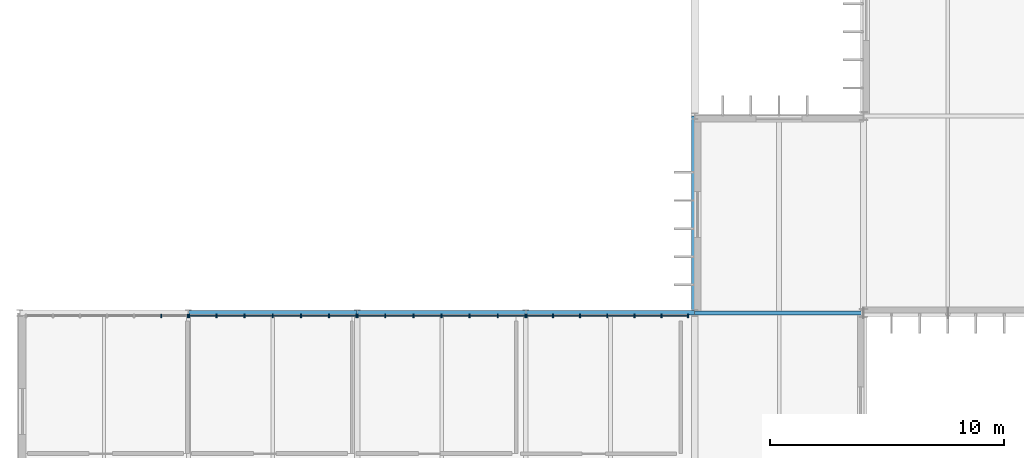
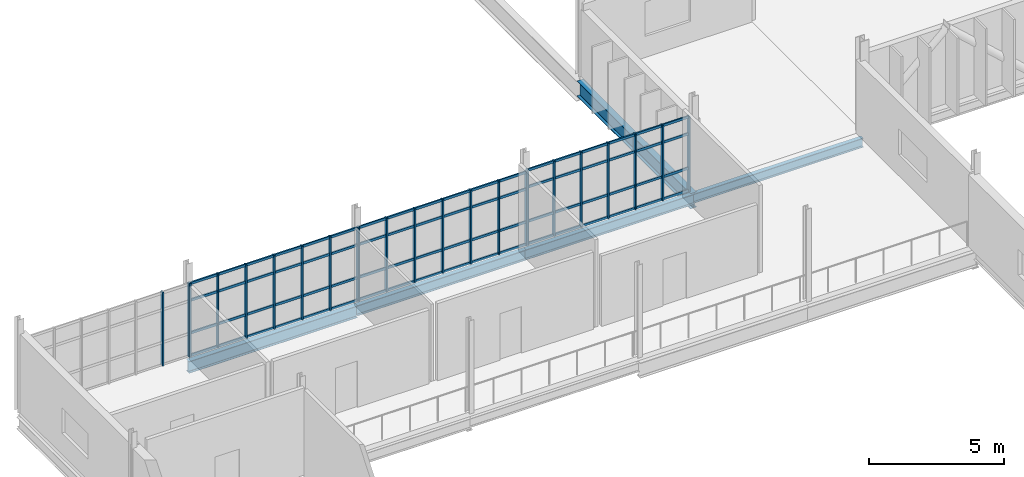
# One storey, part 36 of 119: 35 members, 5 beams, 4 elements without a shape of their own.
"""IFC4 building model written with IfcOpenShell, lengths in metres."""

from ifc_helpers import new_model, si_unit, direction, frame, origin, origin_2d, place, context, subcontext, project, spatial, rectangle, i_section, extrude, material, material_profile, profile_set, type_object, element, aggregate, save


model = new_model("IFC4")

# Units and contexts
model_context = context("Model", 3, precision=1e-05, world=origin(), true_north=direction((0.0, 1.0)))
body_context = subcontext(model_context, "Body", "Model", "MODEL_VIEW")
ifc_project = project(units=[si_unit("LENGTHUNIT", "METRE"), si_unit("AREAUNIT", "SQUARE_METRE"), si_unit("VOLUMEUNIT", "CUBIC_METRE"), si_unit("PLANEANGLEUNIT", "RADIAN"), si_unit("MASSUNIT", "GRAM", prefix="KILO")], contexts=[model_context])

# Site, building, storey
site_placement = place(None, origin())
site = spatial("IfcSite", under=ifc_project, at=site_placement, CompositionType="ELEMENT")
building_placement = place(site_placement, origin())
building = spatial("IfcBuilding", under=site, at=building_placement, Name="Qelthora Terrace Specialist Clinic", CompositionType="ELEMENT")
storey_placement = place(building_placement, frame((0.0, 0.0, 4.800048828125)))
storey = spatial("IfcBuildingStorey", under=building, at=storey_placement, Name="L01", CompositionType="ELEMENT", Elevation=4.800048828125)

# Beams
ifc_material_1 = material(Name="Steel S355", Category="steel")
ifc_material_profile_1 = material_profile(ifc_material_1, i_section(OverallWidth=0.179931640625, OverallDepth=0.4130859375, WebThickness=0.009765625, FlangeThickness=0.01611328125, FilletRadius=0.011962890625, at=origin_2d()), Name="W410X75")
ifc_profile_set_1 = profile_set([ifc_material_profile_1], Name="Steel S355")
beam_type_1 = type_object("IfcBeamType", Name="BM-W410X75", PredefinedType="BEAM", material=ifc_profile_set_1)
beam_1_placement = place(storey_placement, frame((86.39990234375, 33.60009765625, -0.45654296875), z_axis=(1.0, 0.0, 0.0), x_axis=(0.0, 1.0, 0.0)))
element("IfcBeam", 1, at=beam_1_placement, inside=storey, type_object=beam_type_1, Name="Girder BMX-L01-0205", PredefinedType="BEAM", context=body_context, shape_type="SweptSolid", body=[
    extrude(i_section(OverallWidth=0.179931640625, OverallDepth=0.4130859375, WebThickness=0.009765625, FlangeThickness=0.01611328125, FilletRadius=0.011962890625, at=origin_2d()), origin(), (0.0, 0.0, 1.0), 7.2001953125),
])
ifc_material_profile_2 = material_profile(ifc_material_1, i_section(OverallWidth=0.19091796875, OverallDepth=0.4599609375, WebThickness=0.010009765625, FlangeThickness=0.01611328125, FilletRadius=0.012939453125, at=origin_2d()), Name="W460X82")
ifc_profile_set_2 = profile_set([ifc_material_profile_2], Name="Steel S355")
beam_type_2 = type_object("IfcBeamType", Name="BM-W460X82", PredefinedType="BEAM", material=ifc_profile_set_2)
beam_2_placement = place(storey_placement, frame((79.199951171875, 33.60009765625, -0.47998046875), z_axis=(1.0, 0.0, 0.0), x_axis=(0.0, 1.0, 0.0)))
element("IfcBeam", 2, at=beam_2_placement, inside=storey, type_object=beam_type_2, Name="Girder BMX-L01-0204", PredefinedType="BEAM", context=body_context, shape_type="SweptSolid", body=[
    extrude(i_section(OverallWidth=0.19091796875, OverallDepth=0.4599609375, WebThickness=0.010009765625, FlangeThickness=0.01611328125, FilletRadius=0.012939453125, at=origin_2d()), origin(), (0.0, 0.0, 1.0), 7.199951171875),
])
ifc_material_profile_3 = material_profile(ifc_material_1, i_section(OverallWidth=0.193115234375, OverallDepth=0.466064453125, WebThickness=0.011474609375, FlangeThickness=0.01904296875, FilletRadius=0.012939453125, at=origin_2d()), Name="W460X97")
ifc_profile_set_3 = profile_set([ifc_material_profile_3], Name="Steel S355")
beam_type_3 = type_object("IfcBeamType", Name="BM-W460X97", PredefinedType="BEAM", material=ifc_profile_set_3)
beam_3_placement = place(storey_placement, frame((72.0, 33.60009765625, -0.483154296875), z_axis=(1.0, 0.0, 0.0), x_axis=(0.0, 1.0, 0.0)))
element("IfcBeam", 3, at=beam_3_placement, inside=storey, type_object=beam_type_3, Name="Girder BMX-L01-0203", PredefinedType="BEAM", context=body_context, shape_type="SweptSolid", body=[
    extrude(i_section(OverallWidth=0.193115234375, OverallDepth=0.466064453125, WebThickness=0.011474609375, FlangeThickness=0.01904296875, FilletRadius=0.012939453125, at=origin_2d()), origin(), (0.0, 0.0, 1.0), 7.199951171875),
])
ifc_material_profile_4 = material_profile(ifc_material_1, i_section(OverallWidth=0.2099609375, OverallDepth=0.537109375, WebThickness=0.010986328125, FlangeThickness=0.017333984375, FilletRadius=0.013916015625, at=origin_2d()), Name="W530X101")
ifc_profile_set_4 = profile_set([ifc_material_profile_4], Name="Steel S355")
beam_type_4 = type_object("IfcBeamType", Name="BM-W530X101", PredefinedType="BEAM", material=ifc_profile_set_4)
beam_4_placement = place(storey_placement, frame((64.800048828125, 33.60009765625, -0.5185546875), z_axis=(1.0, 0.0, 0.0), x_axis=(0.0, 1.0, 0.0)))
element("IfcBeam", 4, at=beam_4_placement, inside=storey, type_object=beam_type_4, Name="Girder BMX-L01-0202", PredefinedType="BEAM", context=body_context, shape_type="SweptSolid", body=[
    extrude(i_section(OverallWidth=0.2099609375, OverallDepth=0.537109375, WebThickness=0.010986328125, FlangeThickness=0.017333984375, FilletRadius=0.013916015625, at=origin_2d()), origin(), (0.0, 0.0, 1.0), 7.199951171875),
])
ifc_material_profile_5 = material_profile(ifc_material_1, i_section(OverallWidth=0.256103515625, OverallDepth=0.693115234375, WebThickness=0.014404296875, FlangeThickness=0.023681640625, FilletRadius=0.01806640625, at=origin_2d()), Name="W690X170")
ifc_profile_set_5 = profile_set([ifc_material_profile_5], Name="Steel S355")
beam_type_5 = type_object("IfcBeamType", Name="BM-W690X170", PredefinedType="BEAM", material=ifc_profile_set_5)
beam_5_placement = place(storey_placement, frame((86.39990234375, 33.60009765625, -0.596435546875), z_axis=(0.0, 1.0, 0.0), x_axis=(-1.0, 0.0, 0.0)))
element("IfcBeam", 5, at=beam_5_placement, inside=storey, type_object=beam_type_5, Name="Girder BMY-L01-0443", PredefinedType="BEAM", context=body_context, shape_type="SweptSolid", body=[
    extrude(i_section(OverallWidth=0.256103515625, OverallDepth=0.693115234375, WebThickness=0.014404296875, FlangeThickness=0.023681640625, FilletRadius=0.01806640625, at=origin_2d()), origin(), (0.0, 0.0, 1.0), 8.39990234375),
])

# Curtain wall, members
ifc_material_2 = material(Name="Aluminium anodized bronze", Category="aluminium")
curtain_wall_type = type_object("IfcCurtainWallType", Name="CW-HALL-L01", PredefinedType="NOTDEFINED", material=ifc_material_2)
curtain_wall_1_placement = place(storey_placement, origin())
curtain_wall_1 = element("IfcCurtainWall", 6, at=curtain_wall_1_placement, inside=storey, type_object=curtain_wall_type, Name="Curtain wall CW-L01-224", PredefinedType="NOTDEFINED")
ifc_material_profile_6 = material_profile(ifc_material_2, rectangle(XDim=0.06005859375, YDim=0.14990234375, at=origin_2d()), Name="CWM60X150")
ifc_profile_set_6 = profile_set([ifc_material_profile_6], Name="Aluminium anodized bronze")
member_type_1 = type_object("IfcMemberType", Name="CWM-60X150", PredefinedType="MULLION", material=ifc_profile_set_6)
member_1_placement = place(storey_placement, frame((63.643310546875, 33.47998046875, 0.0), z_axis=(0.0, 0.0, 1.0), x_axis=(1.0, 0.0, 0.0)))
member_1 = element("IfcMember", 7, at=member_1_placement, type_object=member_type_1, Name="CW-L01-224 mullion 6", PredefinedType="MULLION", context=body_context, shape_type="SweptSolid", body=[
    extrude(rectangle(XDim=0.06005859375, YDim=0.14990234375, at=origin_2d()), origin(), (0.0, 0.0, 1.0), 3.324951171875),
])
member_2_placement = place(storey_placement, frame((64.780029296875, 33.47998046875, 0.0), z_axis=(0.0, 0.0, 1.0), x_axis=(1.0, 0.0, 0.0)))
member_2 = element("IfcMember", 8, at=member_2_placement, type_object=member_type_1, Name="CW-L01-224 mullion 7", PredefinedType="MULLION", context=body_context, shape_type="SweptSolid", body=[
    extrude(rectangle(XDim=0.06005859375, YDim=0.14990234375, at=origin_2d()), origin(), (0.0, 0.0, 1.0), 3.324951171875),
])
aggregate(curtain_wall_1, [member_1, member_2])

curtain_wall_2_placement = place(storey_placement, origin())
curtain_wall_2 = element("IfcCurtainWall", 9, at=curtain_wall_2_placement, inside=storey, type_object=curtain_wall_type, Name="Curtain wall CW-L01-225", PredefinedType="NOTDEFINED")
member_3_placement = place(storey_placement, frame((64.820068359375, 33.47998046875, 0.0), z_axis=(0.0, 0.0, 1.0), x_axis=(1.0, 0.0, 0.0)))
member_3 = element("IfcMember", 10, at=member_3_placement, type_object=member_type_1, Name="CW-L01-225 mullion 1", PredefinedType="MULLION", context=body_context, shape_type="SweptSolid", body=[
    extrude(rectangle(XDim=0.06005859375, YDim=0.14990234375, at=origin_2d()), origin(), (0.0, 0.0, 1.0), 3.324951171875),
])
member_4_placement = place(storey_placement, frame((66.0, 33.47998046875, 0.0), z_axis=(0.0, 0.0, 1.0), x_axis=(1.0, 0.0, 0.0)))
member_4 = element("IfcMember", 11, at=member_4_placement, type_object=member_type_1, Name="CW-L01-225 mullion 2", PredefinedType="MULLION", context=body_context, shape_type="SweptSolid", body=[
    extrude(rectangle(XDim=0.06005859375, YDim=0.14990234375, at=origin_2d()), origin(), (0.0, 0.0, 1.0), 3.324951171875),
])
member_5_placement = place(storey_placement, frame((67.199951171875, 33.47998046875, 0.0), z_axis=(0.0, 0.0, 1.0), x_axis=(1.0, 0.0, 0.0)))
member_5 = element("IfcMember", 12, at=member_5_placement, type_object=member_type_1, Name="CW-L01-225 mullion 3", PredefinedType="MULLION", context=body_context, shape_type="SweptSolid", body=[
    extrude(rectangle(XDim=0.06005859375, YDim=0.14990234375, at=origin_2d()), origin(), (0.0, 0.0, 1.0), 3.324951171875),
])
member_6_placement = place(storey_placement, frame((68.39990234375, 33.47998046875, 0.0), z_axis=(0.0, 0.0, 1.0), x_axis=(1.0, 0.0, 0.0)))
member_6 = element("IfcMember", 13, at=member_6_placement, type_object=member_type_1, Name="CW-L01-225 mullion 4", PredefinedType="MULLION", context=body_context, shape_type="SweptSolid", body=[
    extrude(rectangle(XDim=0.06005859375, YDim=0.14990234375, at=origin_2d()), origin(), (0.0, 0.0, 1.0), 3.324951171875),
])
member_7_placement = place(storey_placement, frame((69.60009765625, 33.47998046875, 0.0), z_axis=(0.0, 0.0, 1.0), x_axis=(1.0, 0.0, 0.0)))
member_7 = element("IfcMember", 14, at=member_7_placement, type_object=member_type_1, Name="CW-L01-225 mullion 5", PredefinedType="MULLION", context=body_context, shape_type="SweptSolid", body=[
    extrude(rectangle(XDim=0.06005859375, YDim=0.14990234375, at=origin_2d()), origin(), (0.0, 0.0, 1.0), 3.324951171875),
])
member_8_placement = place(storey_placement, frame((70.800048828125, 33.47998046875, 0.0), z_axis=(0.0, 0.0, 1.0), x_axis=(1.0, 0.0, 0.0)))
member_8 = element("IfcMember", 15, at=member_8_placement, type_object=member_type_1, Name="CW-L01-225 mullion 6", PredefinedType="MULLION", context=body_context, shape_type="SweptSolid", body=[
    extrude(rectangle(XDim=0.06005859375, YDim=0.14990234375, at=origin_2d()), origin(), (0.0, 0.0, 1.0), 3.324951171875),
])
member_9_placement = place(storey_placement, frame((71.97998046875, 33.47998046875, 0.0), z_axis=(0.0, 0.0, 1.0), x_axis=(1.0, 0.0, 0.0)))
member_9 = element("IfcMember", 16, at=member_9_placement, type_object=member_type_1, Name="CW-L01-225 mullion 7", PredefinedType="MULLION", context=body_context, shape_type="SweptSolid", body=[
    extrude(rectangle(XDim=0.06005859375, YDim=0.14990234375, at=origin_2d()), origin(), (0.0, 0.0, 1.0), 3.324951171875),
])

curtain_wall_3_placement = place(storey_placement, origin())
curtain_wall_3 = element("IfcCurtainWall", 17, at=curtain_wall_3_placement, inside=storey, type_object=curtain_wall_type, Name="Curtain wall CW-L01-226", PredefinedType="NOTDEFINED")
member_10_placement = place(storey_placement, frame((72.02001953125, 33.47998046875, 0.0), z_axis=(0.0, 0.0, 1.0), x_axis=(1.0, 0.0, 0.0)))
member_10 = element("IfcMember", 18, at=member_10_placement, type_object=member_type_1, Name="CW-L01-226 mullion 1", PredefinedType="MULLION", context=body_context, shape_type="SweptSolid", body=[
    extrude(rectangle(XDim=0.06005859375, YDim=0.14990234375, at=origin_2d()), origin(), (0.0, 0.0, 1.0), 3.329833984375),
])
member_11_placement = place(storey_placement, frame((73.199951171875, 33.47998046875, 0.0), z_axis=(0.0, 0.0, 1.0), x_axis=(1.0, 0.0, 0.0)))
member_11 = element("IfcMember", 19, at=member_11_placement, type_object=member_type_1, Name="CW-L01-226 mullion 2", PredefinedType="MULLION", context=body_context, shape_type="SweptSolid", body=[
    extrude(rectangle(XDim=0.06005859375, YDim=0.14990234375, at=origin_2d()), origin(), (0.0, 0.0, 1.0), 3.329833984375),
])
member_12_placement = place(storey_placement, frame((74.39990234375, 33.47998046875, 0.0), z_axis=(0.0, 0.0, 1.0), x_axis=(1.0, 0.0, 0.0)))
member_12 = element("IfcMember", 20, at=member_12_placement, type_object=member_type_1, Name="CW-L01-226 mullion 3", PredefinedType="MULLION", context=body_context, shape_type="SweptSolid", body=[
    extrude(rectangle(XDim=0.06005859375, YDim=0.14990234375, at=origin_2d()), origin(), (0.0, 0.0, 1.0), 3.329833984375),
])
member_13_placement = place(storey_placement, frame((75.60009765625, 33.47998046875, 0.0), z_axis=(0.0, 0.0, 1.0), x_axis=(1.0, 0.0, 0.0)))
member_13 = element("IfcMember", 21, at=member_13_placement, type_object=member_type_1, Name="CW-L01-226 mullion 4", PredefinedType="MULLION", context=body_context, shape_type="SweptSolid", body=[
    extrude(rectangle(XDim=0.06005859375, YDim=0.14990234375, at=origin_2d()), origin(), (0.0, 0.0, 1.0), 3.329833984375),
])
member_14_placement = place(storey_placement, frame((76.800048828125, 33.47998046875, 0.0), z_axis=(0.0, 0.0, 1.0), x_axis=(1.0, 0.0, 0.0)))
member_14 = element("IfcMember", 22, at=member_14_placement, type_object=member_type_1, Name="CW-L01-226 mullion 5", PredefinedType="MULLION", context=body_context, shape_type="SweptSolid", body=[
    extrude(rectangle(XDim=0.06005859375, YDim=0.14990234375, at=origin_2d()), origin(), (0.0, 0.0, 1.0), 3.329833984375),
])
member_15_placement = place(storey_placement, frame((78.0, 33.47998046875, 0.0), z_axis=(0.0, 0.0, 1.0), x_axis=(1.0, 0.0, 0.0)))
member_15 = element("IfcMember", 23, at=member_15_placement, type_object=member_type_1, Name="CW-L01-226 mullion 6", PredefinedType="MULLION", context=body_context, shape_type="SweptSolid", body=[
    extrude(rectangle(XDim=0.06005859375, YDim=0.14990234375, at=origin_2d()), origin(), (0.0, 0.0, 1.0), 3.329833984375),
])
member_16_placement = place(storey_placement, frame((79.179931640625, 33.47998046875, 0.0), z_axis=(0.0, 0.0, 1.0), x_axis=(1.0, 0.0, 0.0)))
member_16 = element("IfcMember", 24, at=member_16_placement, type_object=member_type_1, Name="CW-L01-226 mullion 7", PredefinedType="MULLION", context=body_context, shape_type="SweptSolid", body=[
    extrude(rectangle(XDim=0.06005859375, YDim=0.14990234375, at=origin_2d()), origin(), (0.0, 0.0, 1.0), 3.329833984375),
])

curtain_wall_4_placement = place(storey_placement, origin())
curtain_wall_4 = element("IfcCurtainWall", 25, at=curtain_wall_4_placement, inside=storey, type_object=curtain_wall_type, Name="Curtain wall CW-L01-227", PredefinedType="NOTDEFINED")
member_17_placement = place(storey_placement, frame((79.219970703125, 33.47998046875, 0.0), z_axis=(0.0, 0.0, 1.0), x_axis=(1.0, 0.0, 0.0)))
member_17 = element("IfcMember", 26, at=member_17_placement, type_object=member_type_1, Name="CW-L01-227 mullion 1", PredefinedType="MULLION", context=body_context, shape_type="SweptSolid", body=[
    extrude(rectangle(XDim=0.06005859375, YDim=0.14990234375, at=origin_2d()), origin(), (0.0, 0.0, 1.0), 3.39794921875),
])
member_18_placement = place(storey_placement, frame((80.356689453125, 33.47998046875, 0.0), z_axis=(0.0, 0.0, 1.0), x_axis=(1.0, 0.0, 0.0)))
member_18 = element("IfcMember", 27, at=member_18_placement, type_object=member_type_1, Name="CW-L01-227 mullion 2", PredefinedType="MULLION", context=body_context, shape_type="SweptSolid", body=[
    extrude(rectangle(XDim=0.06005859375, YDim=0.14990234375, at=origin_2d()), origin(), (0.0, 0.0, 1.0), 3.39794921875),
])
member_19_placement = place(storey_placement, frame((81.513427734375, 33.47998046875, 0.0), z_axis=(0.0, 0.0, 1.0), x_axis=(1.0, 0.0, 0.0)))
member_19 = element("IfcMember", 28, at=member_19_placement, type_object=member_type_1, Name="CW-L01-227 mullion 3", PredefinedType="MULLION", context=body_context, shape_type="SweptSolid", body=[
    extrude(rectangle(XDim=0.06005859375, YDim=0.14990234375, at=origin_2d()), origin(), (0.0, 0.0, 1.0), 3.39794921875),
])
member_20_placement = place(storey_placement, frame((82.669921875, 33.47998046875, 0.0), z_axis=(0.0, 0.0, 1.0), x_axis=(1.0, 0.0, 0.0)))
member_20 = element("IfcMember", 29, at=member_20_placement, type_object=member_type_1, Name="CW-L01-227 mullion 4", PredefinedType="MULLION", context=body_context, shape_type="SweptSolid", body=[
    extrude(rectangle(XDim=0.06005859375, YDim=0.14990234375, at=origin_2d()), origin(), (0.0, 0.0, 1.0), 3.39794921875),
])
member_21_placement = place(storey_placement, frame((83.82666015625, 33.47998046875, 0.0), z_axis=(0.0, 0.0, 1.0), x_axis=(1.0, 0.0, 0.0)))
member_21 = element("IfcMember", 30, at=member_21_placement, type_object=member_type_1, Name="CW-L01-227 mullion 5", PredefinedType="MULLION", context=body_context, shape_type="SweptSolid", body=[
    extrude(rectangle(XDim=0.06005859375, YDim=0.14990234375, at=origin_2d()), origin(), (0.0, 0.0, 1.0), 3.39794921875),
])
member_22_placement = place(storey_placement, frame((84.9833984375, 33.47998046875, 0.0), z_axis=(0.0, 0.0, 1.0), x_axis=(1.0, 0.0, 0.0)))
member_22 = element("IfcMember", 31, at=member_22_placement, type_object=member_type_1, Name="CW-L01-227 mullion 6", PredefinedType="MULLION", context=body_context, shape_type="SweptSolid", body=[
    extrude(rectangle(XDim=0.06005859375, YDim=0.14990234375, at=origin_2d()), origin(), (0.0, 0.0, 1.0), 3.39794921875),
])
member_23_placement = place(storey_placement, frame((86.1201171875, 33.47998046875, 0.0), z_axis=(0.0, 0.0, 1.0), x_axis=(1.0, 0.0, 0.0)))
member_23 = element("IfcMember", 32, at=member_23_placement, type_object=member_type_1, Name="CW-L01-227 mullion 7", PredefinedType="MULLION", context=body_context, shape_type="SweptSolid", body=[
    extrude(rectangle(XDim=0.06005859375, YDim=0.14990234375, at=origin_2d()), origin(), (0.0, 0.0, 1.0), 3.39794921875),
])

# Member
ifc_material_profile_7 = material_profile(ifc_material_2, rectangle(XDim=0.06005859375, YDim=0.110107421875, at=origin_2d()), Name="CWT60X110")
ifc_profile_set_7 = profile_set([ifc_material_profile_7], Name="Aluminium anodized bronze")
member_type_2 = type_object("IfcMemberType", Name="CWT-60X110", PredefinedType="USERDEFINED", material=ifc_profile_set_7)
member_24_placement = place(storey_placement, frame((64.840087890625, 33.47998046875, 0.0400390625), z_axis=(1.0, 0.0, 0.0), x_axis=(0.0, 1.0, 0.0)))
member_24 = element("IfcMember", 33, at=member_24_placement, type_object=member_type_2, Name="CW-L01-225 transom 1", ObjectType="TRANSOM", PredefinedType="USERDEFINED", context=body_context, shape_type="SweptSolid", body=[
    extrude(rectangle(XDim=0.06005859375, YDim=0.110107421875, at=origin_2d()), origin(), (0.0, 0.0, 1.0), 7.119873046875),
])

member_25_placement = place(storey_placement, frame((64.840087890625, 33.47998046875, 1.050048828125), z_axis=(1.0, 0.0, 0.0), x_axis=(0.0, 1.0, 0.0)))
member_25 = element("IfcMember", 34, at=member_25_placement, type_object=member_type_2, Name="CW-L01-225 transom 2", ObjectType="TRANSOM", PredefinedType="USERDEFINED", context=body_context, shape_type="SweptSolid", body=[
    extrude(rectangle(XDim=0.06005859375, YDim=0.110107421875, at=origin_2d()), origin(), (0.0, 0.0, 1.0), 7.119873046875),
])

member_26_placement = place(storey_placement, frame((64.840087890625, 33.47998046875, 2.52490234375), z_axis=(1.0, 0.0, 0.0), x_axis=(0.0, 1.0, 0.0)))
member_26 = element("IfcMember", 35, at=member_26_placement, type_object=member_type_2, Name="CW-L01-225 transom 3", ObjectType="TRANSOM", PredefinedType="USERDEFINED", context=body_context, shape_type="SweptSolid", body=[
    extrude(rectangle(XDim=0.06005859375, YDim=0.110107421875, at=origin_2d()), origin(), (0.0, 0.0, 1.0), 7.119873046875),
])

member_27_placement = place(storey_placement, frame((64.840087890625, 33.47998046875, 3.284912109375), z_axis=(1.0, 0.0, 0.0), x_axis=(0.0, 1.0, 0.0)))
member_27 = element("IfcMember", 36, at=member_27_placement, type_object=member_type_2, Name="CW-L01-225 transom 4", ObjectType="TRANSOM", PredefinedType="USERDEFINED", context=body_context, shape_type="SweptSolid", body=[
    extrude(rectangle(XDim=0.06005859375, YDim=0.110107421875, at=origin_2d()), origin(), (0.0, 0.0, 1.0), 7.119873046875),
])

aggregate(curtain_wall_2, [member_3, member_4, member_5, member_6, member_7, member_8, member_9, member_24, member_25, member_26, member_27])

member_28_placement = place(storey_placement, frame((72.0400390625, 33.47998046875, 0.0400390625), z_axis=(1.0, 0.0, 0.0), x_axis=(0.0, 1.0, 0.0)))
member_28 = element("IfcMember", 37, at=member_28_placement, type_object=member_type_2, Name="CW-L01-226 transom 1", ObjectType="TRANSOM", PredefinedType="USERDEFINED", context=body_context, shape_type="SweptSolid", body=[
    extrude(rectangle(XDim=0.06005859375, YDim=0.110107421875, at=origin_2d()), origin(), (0.0, 0.0, 1.0), 7.119873046875),
])

member_29_placement = place(storey_placement, frame((72.0400390625, 33.47998046875, 1.050048828125), z_axis=(1.0, 0.0, 0.0), x_axis=(0.0, 1.0, 0.0)))
member_29 = element("IfcMember", 38, at=member_29_placement, type_object=member_type_2, Name="CW-L01-226 transom 2", ObjectType="TRANSOM", PredefinedType="USERDEFINED", context=body_context, shape_type="SweptSolid", body=[
    extrude(rectangle(XDim=0.06005859375, YDim=0.110107421875, at=origin_2d()), origin(), (0.0, 0.0, 1.0), 7.119873046875),
])

member_30_placement = place(storey_placement, frame((72.0400390625, 33.47998046875, 2.530029296875), z_axis=(1.0, 0.0, 0.0), x_axis=(0.0, 1.0, 0.0)))
member_30 = element("IfcMember", 39, at=member_30_placement, type_object=member_type_2, Name="CW-L01-226 transom 3", ObjectType="TRANSOM", PredefinedType="USERDEFINED", context=body_context, shape_type="SweptSolid", body=[
    extrude(rectangle(XDim=0.06005859375, YDim=0.110107421875, at=origin_2d()), origin(), (0.0, 0.0, 1.0), 7.119873046875),
])

member_31_placement = place(storey_placement, frame((72.0400390625, 33.47998046875, 3.2900390625), z_axis=(1.0, 0.0, 0.0), x_axis=(0.0, 1.0, 0.0)))
member_31 = element("IfcMember", 40, at=member_31_placement, type_object=member_type_2, Name="CW-L01-226 transom 4", ObjectType="TRANSOM", PredefinedType="USERDEFINED", context=body_context, shape_type="SweptSolid", body=[
    extrude(rectangle(XDim=0.06005859375, YDim=0.110107421875, at=origin_2d()), origin(), (0.0, 0.0, 1.0), 7.119873046875),
])

aggregate(curtain_wall_3, [member_10, member_11, member_12, member_13, member_14, member_15, member_16, member_28, member_29, member_30, member_31])

member_32_placement = place(storey_placement, frame((79.239990234375, 33.47998046875, 0.0400390625), z_axis=(1.0, 0.0, 0.0), x_axis=(0.0, 1.0, 0.0)))
member_32 = element("IfcMember", 41, at=member_32_placement, type_object=member_type_2, Name="CW-L01-227 transom 1", ObjectType="TRANSOM", PredefinedType="USERDEFINED", context=body_context, shape_type="SweptSolid", body=[
    extrude(rectangle(XDim=0.06005859375, YDim=0.110107421875, at=origin_2d()), origin(), (0.0, 0.0, 1.0), 6.860107421875),
])

member_33_placement = place(storey_placement, frame((79.239990234375, 33.47998046875, 1.050048828125), z_axis=(1.0, 0.0, 0.0), x_axis=(0.0, 1.0, 0.0)))
member_33 = element("IfcMember", 42, at=member_33_placement, type_object=member_type_2, Name="CW-L01-227 transom 2", ObjectType="TRANSOM", PredefinedType="USERDEFINED", context=body_context, shape_type="SweptSolid", body=[
    extrude(rectangle(XDim=0.06005859375, YDim=0.110107421875, at=origin_2d()), origin(), (0.0, 0.0, 1.0), 6.860107421875),
])

member_34_placement = place(storey_placement, frame((79.239990234375, 33.47998046875, 2.597900390625), z_axis=(1.0, 0.0, 0.0), x_axis=(0.0, 1.0, 0.0)))
member_34 = element("IfcMember", 43, at=member_34_placement, type_object=member_type_2, Name="CW-L01-227 transom 3", ObjectType="TRANSOM", PredefinedType="USERDEFINED", context=body_context, shape_type="SweptSolid", body=[
    extrude(rectangle(XDim=0.06005859375, YDim=0.110107421875, at=origin_2d()), origin(), (0.0, 0.0, 1.0), 6.860107421875),
])

member_35_placement = place(storey_placement, frame((79.239990234375, 33.47998046875, 3.35791015625), z_axis=(1.0, 0.0, 0.0), x_axis=(0.0, 1.0, 0.0)))
member_35 = element("IfcMember", 44, at=member_35_placement, type_object=member_type_2, Name="CW-L01-227 transom 4", ObjectType="TRANSOM", PredefinedType="USERDEFINED", context=body_context, shape_type="SweptSolid", body=[
    extrude(rectangle(XDim=0.06005859375, YDim=0.110107421875, at=origin_2d()), origin(), (0.0, 0.0, 1.0), 6.860107421875),
])

aggregate(curtain_wall_4, [member_17, member_18, member_19, member_20, member_21, member_22, member_23, member_32, member_33, member_34, member_35])

save(model, "model.ifc")
